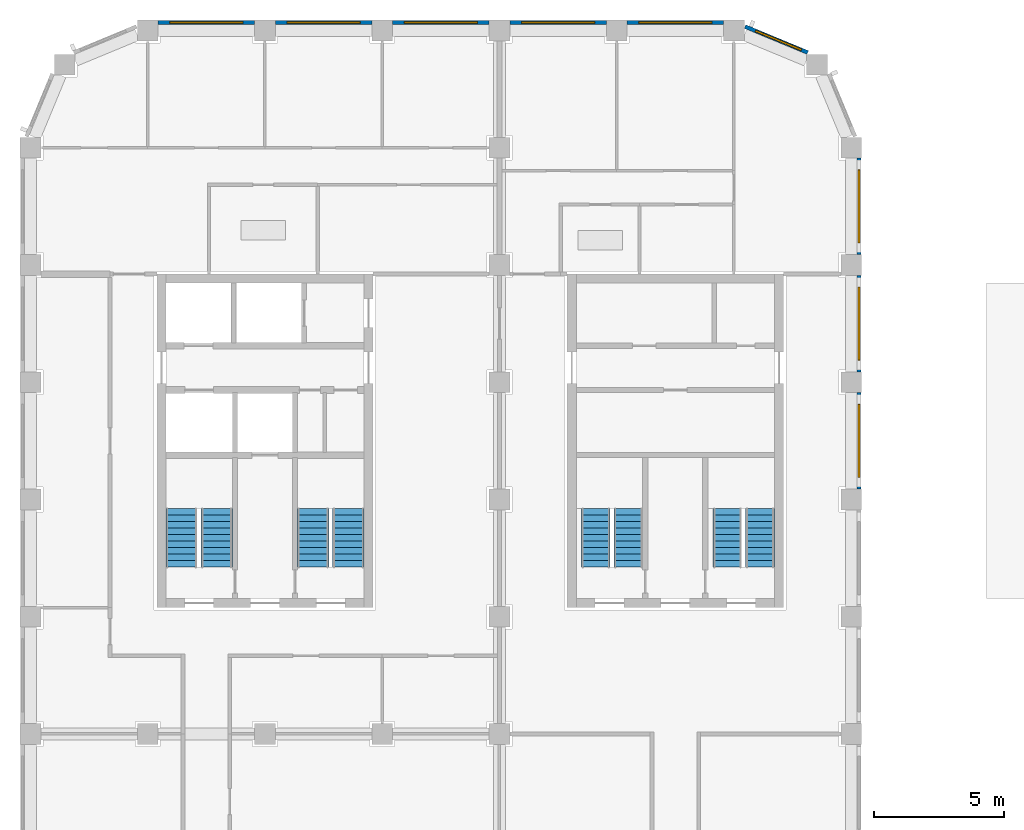
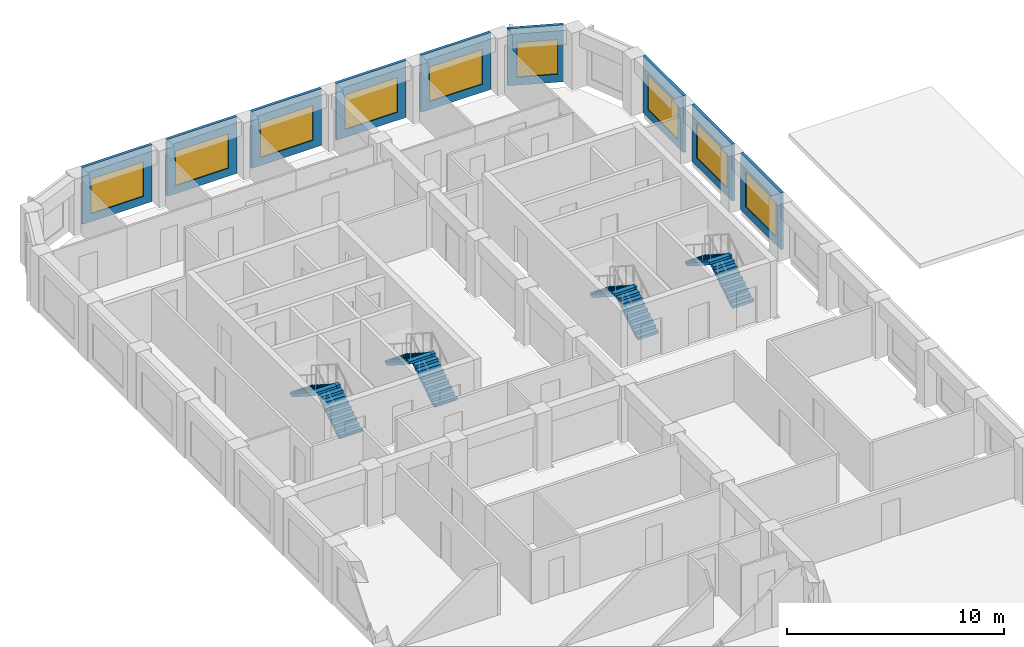
# One storey, part 7 of 9: 9 walls, 9 windows, 8 stair flights, 9 openings, 4 elements without a shape of their own.
"""IFC4 building model written with IfcOpenShell, lengths in metres."""

import ifcopenshell
import ifcopenshell.guid

model = None  # the IFC model being written
_history = None  # IfcOwnerHistory: only IFC2X3 demands one
_inside = {}  # id of a spatial element -> (the spatial element, [elements in it])
_under = {}  # id of a project, library or spatial element -> (it, [spatial elements below it])
_declared = {}  # id of a project -> (the project, [libraries it declares])
_typed = {}  # id of a type object -> (the type object, [elements of that type])
_made_of = {}  # id of a material, layer set ... -> (it, [elements and type objects made of it])


def new_model(schema):
    """Start an empty IFC model of exactly this schema.

    Asked for "IFC4X3", IfcOpenShell would pick the latest addendum, in which some entities
    have other attributes; the version numbers below select the first issue.
    IFC2X3 requires an IfcOwnerHistory on every rooted entity: one is made here for all.
    """
    global model, _history
    if schema == "IFC4X3":
        model = ifcopenshell.file(schema_version=(4, 3, 0, 0))
    else:
        model = ifcopenshell.file(schema=schema)
    _inside.clear()
    _under.clear()
    _declared.clear()
    _typed.clear()
    _made_of.clear()
    _history = None
    if model.schema == "IFC2X3":
        org = make("IfcOrganization", Name="unknown")
        user = make(
            "IfcPersonAndOrganization",
            ThePerson=make("IfcPerson", FamilyName="unknown"),
            TheOrganization=org,
        )
        app = make(
            "IfcApplication",
            ApplicationDeveloper=org,
            Version="unknown",
            ApplicationFullName="unknown",
            ApplicationIdentifier="unknown",
        )
        _history = make(
            "IfcOwnerHistory",
            OwningUser=user,
            OwningApplication=app,
            ChangeAction="ADDED",
            CreationDate=0,
        )
    return model


def make(cls, **values):
    """One entity of the class cls with the attributes given. An attribute that is None is left unset."""
    return model.create_entity(
        cls, **{name: value for name, value in values.items() if value is not None}
    )


def rooted(cls, **values):
    """An entity with a GlobalId (a new one), such as an element, a storey or a relation."""
    return make(cls, GlobalId=ifcopenshell.guid.new(), OwnerHistory=_history, **values)


def si_unit(unit_type, name, prefix=None):
    """IfcSIUnit, for example si_unit("LENGTHUNIT", "METRE", prefix="MILLI")."""
    return make("IfcSIUnit", UnitType=unit_type, Prefix=prefix, Name=name)


def assignment(units):
    """IfcUnitAssignment: the units of a project."""
    return None if units is None else make("IfcUnitAssignment", Units=units)


def point(xyz):
    """IfcCartesianPoint."""
    return None if xyz is None else make("IfcCartesianPoint", Coordinates=xyz)


def direction(xyz):
    """IfcDirection."""
    return None if xyz is None else make("IfcDirection", DirectionRatios=xyz)


def frame(location, z_axis=None, x_axis=None):
    """IfcAxis2Placement3D, a coordinate frame: its origin and axes. An axis left out is left unset."""
    return make(
        "IfcAxis2Placement3D",
        Location=point(location),
        Axis=direction(z_axis),
        RefDirection=direction(x_axis),
    )


def frame_2d(location, x_axis=None):
    """IfcAxis2Placement2D, a coordinate frame in the plane: its origin and x axis."""
    return make(
        "IfcAxis2Placement2D", Location=point(location), RefDirection=direction(x_axis)
    )


def origin():
    """The frame at (0, 0, 0) with its axes left unset."""
    return frame((0.0, 0.0, 0.0))


def place(relative_to, where):
    """IfcLocalPlacement: puts the frame where relative to a parent placement (None: the world)."""
    return make(
        "IfcLocalPlacement", PlacementRelTo=relative_to, RelativePlacement=where
    )


def context(
    kind, dimensions, precision=None, world=None, true_north=None, identifier=None
):
    """IfcGeometricRepresentationContext, for example the 3D "Model" context."""
    return make(
        "IfcGeometricRepresentationContext",
        ContextIdentifier=identifier,
        ContextType=kind,
        CoordinateSpaceDimension=dimensions,
        Precision=precision,
        WorldCoordinateSystem=world,
        TrueNorth=true_north,
    )


def subcontext(parent, identifier, kind, view, scale=None):
    """IfcGeometricRepresentationSubContext, for example "Body" below "Model"."""
    return make(
        "IfcGeometricRepresentationSubContext",
        ContextIdentifier=identifier,
        ContextType=kind,
        ParentContext=parent,
        TargetScale=scale,
        TargetView=view,
    )


def project(units=None, contexts=None):
    """IfcProject with its units and contexts."""
    return rooted(
        "IfcProject",
        Name="project",
        RepresentationContexts=contexts,
        UnitsInContext=assignment(units),
    )


def spatial(cls, under=None, at=None, **own):
    """A site, building, storey or space (cls), placed at a placement, below another one or the project."""
    s = rooted(cls, ObjectPlacement=at, **own)
    if under is not None:
        _under.setdefault(under.id(), (under, []))[1].append(s)
    return s


def polyline(points):
    """IfcPolyline through the points."""
    return make("IfcPolyline", Points=[point(p) for p in points])


def profile(cls, at=None, kind="AREA", **sizes):
    """A parametric profile (cls). Its sizes go by their IFC names, for example OverallWidth=200.0."""
    return make(cls, ProfileType=kind, Position=at, **sizes)


def rectangle(**sizes):
    """IfcRectangleProfileDef."""
    return profile("IfcRectangleProfileDef", **sizes)


def outline(outer, holes=None, kind="AREA"):
    """IfcArbitraryClosedProfileDef: a profile drawn as a closed curve; with holes, ...WithVoids."""
    if holes is None:
        return make("IfcArbitraryClosedProfileDef", ProfileType=kind, OuterCurve=outer)
    return make(
        "IfcArbitraryProfileDefWithVoids",
        ProfileType=kind,
        OuterCurve=outer,
        InnerCurves=holes,
    )


def extrude(swept, where, along, depth):
    """IfcExtrudedAreaSolid: the profile swept, set in the frame where, extruded along a direction by depth."""
    return make(
        "IfcExtrudedAreaSolid",
        SweptArea=swept,
        Position=where,
        ExtrudedDirection=direction(along),
        Depth=depth,
    )


def shape(context_of_items, identifier, shape_type, items):
    """IfcShapeRepresentation: the items that make up one representation, for example the "Body"."""
    return make(
        "IfcShapeRepresentation",
        ContextOfItems=context_of_items,
        RepresentationIdentifier=identifier,
        RepresentationType=shape_type,
        Items=items,
    )


def material(Name=None, Category=None):
    """IfcMaterial."""
    return make("IfcMaterial", Name=Name, Category=Category)


def layer(
    of_material, thickness, ventilated=None, Name=None, Category=None, Priority=None
):
    """IfcMaterialLayer: one layer of a wall or slab, of a material (None: an air gap)."""
    return make(
        "IfcMaterialLayer",
        Material=of_material,
        LayerThickness=thickness,
        IsVentilated=ventilated,
        Name=Name,
        Category=Category,
        Priority=Priority,
    )


def layer_set(layers, Name=None):
    """IfcMaterialLayerSet."""
    return make("IfcMaterialLayerSet", MaterialLayers=layers, LayerSetName=Name)


def made_of(thing, what):
    """Note that an element or type object is made of a material, layer set ...; save() writes the relation."""
    if what is not None:
        _made_of.setdefault(what.id(), (what, []))[1].append(thing)
    return thing


def type_object(cls, material=None, **own):
    """A type object (cls), such as IfcWallType, which elements share."""
    return made_of(rooted(cls, **own), material)


def element(
    cls,
    number,
    at=None,
    inside=None,
    cuts=None,
    type_object=None,
    material=None,
    context=None,
    identifier="Body",
    shape_type=None,
    held_by="IfcProductDefinitionShape",
    body=None,
    shapes=None,
    **own,
):
    """One element of the class cls, such as IfcWall. Its Tag is "e" and its number.

    at: its placement. inside: the storey or other place that contains it. cuts: it is an
    opening in that element (IfcRelVoidsElement). A single representation is given by context,
    identifier, shape_type and body (its items); several are given by shapes. held_by: the class
    of the entity that holds the representations. save() writes the other relations.
    """
    e = rooted(cls, Tag="e%d" % number, ObjectPlacement=at, **own)
    if body is not None:
        shapes = [shape(context, identifier, shape_type, body)]
    if shapes is not None:
        e.Representation = make(held_by, Representations=shapes)
    if inside is not None:
        _inside.setdefault(inside.id(), (inside, []))[1].append(e)
    if cuts is not None:
        rooted(
            "IfcRelVoidsElement", RelatingBuildingElement=cuts, RelatedOpeningElement=e
        )
    if type_object is not None:
        _typed.setdefault(type_object.id(), (type_object, []))[1].append(e)
    return made_of(e, material)


def fill(opening, filler):
    """IfcRelFillsElement: the door or window that sits in an opening."""
    return rooted(
        "IfcRelFillsElement",
        RelatingOpeningElement=opening,
        RelatedBuildingElement=filler,
    )


def aggregate(whole, parts):
    """IfcRelAggregates: a whole, such as a stair, and the parts it consists of."""
    return rooted("IfcRelAggregates", RelatingObject=whole, RelatedObjects=parts)


def save(model, path):
    """Write the relations noted so far, then the file.

    IfcRelAggregates (storeys below a building ...), IfcRelContainedInSpatialStructure (elements
    in a storey), IfcRelDefinesByType, IfcRelAssociatesMaterial and IfcRelDeclares: one each for
    every whole, place, type object, material and project.
    """
    for whole, parts in _under.values():
        aggregate(whole, parts)
    for where, things in _inside.values():
        rooted(
            "IfcRelContainedInSpatialStructure",
            RelatedElements=things,
            RelatingStructure=where,
        )
    for kind, things in _typed.values():
        rooted("IfcRelDefinesByType", RelatedObjects=things, RelatingType=kind)
    for what, things in _made_of.values():
        rooted("IfcRelAssociatesMaterial", RelatedObjects=things, RelatingMaterial=what)
    for by, libraries in _declared.values():
        rooted("IfcRelDeclares", RelatingContext=by, RelatedDefinitions=libraries)
    model.write(path)


model = new_model("IFC4")

# Units and contexts
model_context = context("Model", 3, precision=1e-05, world=origin(), true_north=direction((0.0, 1.0)))
body_context = subcontext(model_context, "Body", "Model", "MODEL_VIEW")
ifc_project = project(units=[si_unit("LENGTHUNIT", "METRE"), si_unit("AREAUNIT", "SQUARE_METRE"), si_unit("VOLUMEUNIT", "CUBIC_METRE"), si_unit("PLANEANGLEUNIT", "RADIAN"), si_unit("MASSUNIT", "GRAM", prefix="KILO")], contexts=[model_context])

# Site, building, storey
site_placement = place(None, origin())
site = spatial("IfcSite", under=ifc_project, at=site_placement, CompositionType="ELEMENT")
building_placement = place(site_placement, origin())
building = spatial("IfcBuilding", under=site, at=building_placement, Name="Girih Gate Residences", CompositionType="ELEMENT")
storey_placement = place(building_placement, frame((0.0, 0.0, 179.5)))
storey = spatial("IfcBuildingStorey", under=building, at=storey_placement, Name="L49", CompositionType="ELEMENT", Elevation=179.5)

# Wall, opening, window
ifc_material_1 = material(Name="Precast concrete C50/60", Category="concrete")
ifc_layer_1 = layer(ifc_material_1, 0.050048828125, Name="Outer leaf")
ifc_material_2 = material(Name="Rigid PIR insulation")
ifc_layer_2 = layer(ifc_material_2, 0.06005859375, Name="Insulation")
ifc_material_3 = material(Name="Precast concrete C40/50", Category="concrete")
ifc_layer_3 = layer(ifc_material_3, 0.0400390625, Name="Inner leaf")
ifc_layer_set = layer_set([ifc_layer_1, ifc_layer_2, ifc_layer_3], Name="Precast concrete C50/60 external wall 150")
wall_type = type_object("IfcWallType", Name="Precast concrete C50/60 external wall 150", PredefinedType="SOLIDWALL", material=ifc_layer_set)
wall_1_placement = place(storey_placement, frame((31.800048828125, 35.60009765625, 0.0), z_axis=(0.0, 0.0, 1.0), x_axis=(0.0, -1.0, 0.0)))
wall_1 = element("IfcWall", 1, at=wall_1_placement, inside=storey, type_object=wall_type, Name="External wall E0315_0045.6", PredefinedType="SOLIDWALL", context=body_context, shape_type="SweptSolid", body=[
    extrude(rectangle(XDim=3.7001953125, YDim=0.14990234375, at=frame_2d((1.85009765625, 0.0))), origin(), (0.0, 0.0, 1.0), 3.199951171875),
])
opening_1_placement = place(wall_1_placement, frame((0.449951171875, 0.0, 0.449951171875)))
opening_1 = element("IfcOpeningElement", 2, at=opening_1_placement, cuts=wall_1, Name="Opening W-1B", PredefinedType="OPENING", context=body_context, shape_type="SweptSolid", body=[
    extrude(rectangle(XDim=2.800048828125, YDim=1.949951171875, at=frame_2d((1.39990234375, 0.97509765625))), frame((0.0, 0.0849609375, 0.0), z_axis=(0.0, -1.0, 0.0), x_axis=(1.0, 0.0, 0.0)), (0.0, 0.0, 1.0), 0.169921875),
])
ifc_material_4 = material(Name="Double glazing in aluminium frame", Category="aluminium")
window_type_1 = type_object("IfcWindowType", Name="Window W-1B 2800x1950", PartitioningType="SINGLE_PANEL", PredefinedType="WINDOW", material=ifc_material_4)
window_1_placement = place(opening_1_placement, origin())
window_1 = element("IfcWindow", 3, at=window_1_placement, inside=storey, type_object=window_type_1, Name="Window W-1B E0315_0045.6", OverallHeight=1.949951171875, OverallWidth=2.800048828125, PartitioningType="SINGLE_PANEL", PredefinedType="WINDOW", context=body_context, shape_type="SweptSolid", body=[
    extrude(rectangle(XDim=2.800048828125, YDim=1.949951171875, at=frame_2d((1.39990234375, 0.97509765625))), frame((0.0, 0.030029296875, 0.0), z_axis=(0.0, -1.0, 0.0), x_axis=(1.0, 0.0, 0.0)), (0.0, 0.0, 1.0), 0.06005859375),
])
fill(opening_1, window_1)

wall_2_placement = place(storey_placement, frame((31.800048828125, 40.10009765625, 0.0), z_axis=(0.0, 0.0, 1.0), x_axis=(0.0, -1.0, 0.0)))
wall_2 = element("IfcWall", 4, at=wall_2_placement, inside=storey, type_object=wall_type, Name="External wall E0315_0045.7", PredefinedType="SOLIDWALL", context=body_context, shape_type="SweptSolid", body=[
    extrude(rectangle(XDim=3.7001953125, YDim=0.14990234375, at=frame_2d((1.85009765625, 0.0))), origin(), (0.0, 0.0, 1.0), 3.199951171875),
])
opening_2_placement = place(wall_2_placement, frame((0.449951171875, 0.0, 0.449951171875)))
opening_2 = element("IfcOpeningElement", 5, at=opening_2_placement, cuts=wall_2, Name="Opening W-1B", PredefinedType="OPENING", context=body_context, shape_type="SweptSolid", body=[
    extrude(rectangle(XDim=2.800048828125, YDim=1.949951171875, at=frame_2d((1.39990234375, 0.97509765625))), frame((0.0, 0.0849609375, 0.0), z_axis=(0.0, -1.0, 0.0), x_axis=(1.0, 0.0, 0.0)), (0.0, 0.0, 1.0), 0.169921875),
])
window_2_placement = place(opening_2_placement, origin())
window_2 = element("IfcWindow", 6, at=window_2_placement, inside=storey, type_object=window_type_1, Name="Window W-1B E0315_0045.7", OverallHeight=1.949951171875, OverallWidth=2.800048828125, PartitioningType="SINGLE_PANEL", PredefinedType="WINDOW", context=body_context, shape_type="SweptSolid", body=[
    extrude(rectangle(XDim=2.800048828125, YDim=1.949951171875, at=frame_2d((1.39990234375, 0.97509765625))), frame((0.0, 0.030029296875, 0.0), z_axis=(0.0, -1.0, 0.0), x_axis=(1.0, 0.0, 0.0)), (0.0, 0.0, 1.0), 0.06005859375),
])
fill(opening_2, window_2)

wall_3_placement = place(storey_placement, frame((31.800048828125, 44.60009765625, 0.0), z_axis=(0.0, 0.0, 1.0), x_axis=(0.0, -1.0, 0.0)))
wall_3 = element("IfcWall", 7, at=wall_3_placement, inside=storey, type_object=wall_type, Name="External wall E0315_0045.8", PredefinedType="SOLIDWALL", context=body_context, shape_type="SweptSolid", body=[
    extrude(rectangle(XDim=3.7001953125, YDim=0.14990234375, at=frame_2d((1.85009765625, 0.0))), origin(), (0.0, 0.0, 1.0), 3.199951171875),
])
opening_3_placement = place(wall_3_placement, frame((0.449951171875, 0.0, 0.449951171875)))
opening_3 = element("IfcOpeningElement", 8, at=opening_3_placement, cuts=wall_3, Name="Opening W-1B", PredefinedType="OPENING", context=body_context, shape_type="SweptSolid", body=[
    extrude(rectangle(XDim=2.800048828125, YDim=1.949951171875, at=frame_2d((1.39990234375, 0.97509765625))), frame((0.0, 0.0849609375, 0.0), z_axis=(0.0, -1.0, 0.0), x_axis=(1.0, 0.0, 0.0)), (0.0, 0.0, 1.0), 0.169921875),
])
window_3_placement = place(opening_3_placement, origin())
window_3 = element("IfcWindow", 9, at=window_3_placement, inside=storey, type_object=window_type_1, Name="Window W-1B E0315_0045.8", OverallHeight=1.949951171875, OverallWidth=2.800048828125, PartitioningType="SINGLE_PANEL", PredefinedType="WINDOW", context=body_context, shape_type="SweptSolid", body=[
    extrude(rectangle(XDim=2.800048828125, YDim=1.949951171875, at=frame_2d((1.39990234375, 0.97509765625))), frame((0.0, 0.030029296875, 0.0), z_axis=(0.0, -1.0, 0.0), x_axis=(1.0, 0.0, 0.0)), (0.0, 0.0, 1.0), 0.06005859375),
])
fill(opening_3, window_3)

wall_4_placement = place(storey_placement, frame((27.4287109375, 49.647216796875, 0.0), z_axis=(0.0, 0.0, 1.0), x_axis=(0.923885342263, -0.382669406082, 0.0)))
wall_4 = element("IfcWall", 10, at=wall_4_placement, inside=storey, type_object=wall_type, Name="External wall NE0302_0482.0", PredefinedType="SOLIDWALL", context=body_context, shape_type="SweptSolid", body=[
    extrude(rectangle(XDim=2.602294921875, YDim=0.14990234375, at=frame_2d((1.30126953125, 0.0))), origin(), (0.0, 0.0, 1.0), 3.199951171875),
])
opening_4_placement = place(wall_4_placement, frame((0.432373046875, 0.0, 0.449951171875)))
opening_4 = element("IfcOpeningElement", 11, at=opening_4_placement, cuts=wall_4, Name="Opening W-2G", PredefinedType="OPENING", context=body_context, shape_type="SweptSolid", body=[
    extrude(rectangle(XDim=1.89990234375, YDim=1.949951171875, at=frame_2d((0.949951171875, 0.97509765625))), frame((0.0, 0.0849609375, 0.0), z_axis=(0.0, -1.0, 0.0), x_axis=(1.0, 0.0, 0.0)), (0.0, 0.0, 1.0), 0.169921875),
])
window_type_2 = type_object("IfcWindowType", Name="Window W-2G 1900x1950", PartitioningType="SINGLE_PANEL", PredefinedType="WINDOW", material=ifc_material_4)
window_4_placement = place(opening_4_placement, origin())
window_4 = element("IfcWindow", 12, at=window_4_placement, inside=storey, type_object=window_type_2, Name="Window W-2G NE0302_0482.0", OverallHeight=1.949951171875, OverallWidth=1.89990234375, PartitioningType="SINGLE_PANEL", PredefinedType="WINDOW", context=body_context, shape_type="SweptSolid", body=[
    extrude(rectangle(XDim=1.89990234375, YDim=1.949951171875, at=frame_2d((0.949951171875, 0.97509765625))), frame((0.0, 0.030029296875, 0.0), z_axis=(0.0, -1.0, 0.0), x_axis=(1.0, 0.0, 0.0)), (0.0, 0.0, 1.0), 0.06005859375),
])
fill(opening_4, window_4)

wall_5_placement = place(storey_placement, frame((22.89990234375, 49.800048828125, 0.0), z_axis=(0.0, 0.0, 1.0), x_axis=(1.0, 0.0, 0.0)))
wall_5 = element("IfcWall", 13, at=wall_5_placement, inside=storey, type_object=wall_type, Name="External wall N0270_0495.0", PredefinedType="SOLIDWALL", context=body_context, shape_type="SweptSolid", body=[
    extrude(rectangle(XDim=3.7001953125, YDim=0.14990234375, at=frame_2d((1.85009765625, 0.0))), origin(), (0.0, 0.0, 1.0), 3.199951171875),
])
opening_5_placement = place(wall_5_placement, frame((0.449951171875, 0.0, 0.449951171875)))
opening_5 = element("IfcOpeningElement", 14, at=opening_5_placement, cuts=wall_5, Name="Opening W-1B", PredefinedType="OPENING", context=body_context, shape_type="SweptSolid", body=[
    extrude(rectangle(XDim=2.800048828125, YDim=1.949951171875, at=frame_2d((1.39990234375, 0.97509765625))), frame((0.0, 0.0849609375, 0.0), z_axis=(0.0, -1.0, 0.0), x_axis=(1.0, 0.0, 0.0)), (0.0, 0.0, 1.0), 0.169921875),
])
window_5_placement = place(opening_5_placement, origin())
window_5 = element("IfcWindow", 15, at=window_5_placement, inside=storey, type_object=window_type_1, Name="Window W-1B N0270_0495.0", OverallHeight=1.949951171875, OverallWidth=2.800048828125, PartitioningType="SINGLE_PANEL", PredefinedType="WINDOW", context=body_context, shape_type="SweptSolid", body=[
    extrude(rectangle(XDim=2.800048828125, YDim=1.949951171875, at=frame_2d((1.39990234375, 0.97509765625))), frame((0.0, 0.030029296875, 0.0), z_axis=(0.0, -1.0, 0.0), x_axis=(1.0, 0.0, 0.0)), (0.0, 0.0, 1.0), 0.06005859375),
])
fill(opening_5, window_5)

wall_6_placement = place(storey_placement, frame((18.39990234375, 49.800048828125, 0.0), z_axis=(0.0, 0.0, 1.0), x_axis=(1.0, 0.0, 0.0)))
wall_6 = element("IfcWall", 16, at=wall_6_placement, inside=storey, type_object=wall_type, Name="External wall N0270_0495.1", PredefinedType="SOLIDWALL", context=body_context, shape_type="SweptSolid", body=[
    extrude(rectangle(XDim=3.7001953125, YDim=0.14990234375, at=frame_2d((1.85009765625, 0.0))), origin(), (0.0, 0.0, 1.0), 3.199951171875),
])
opening_6_placement = place(wall_6_placement, frame((0.449951171875, 0.0, 0.449951171875)))
opening_6 = element("IfcOpeningElement", 17, at=opening_6_placement, cuts=wall_6, Name="Opening W-1B", PredefinedType="OPENING", context=body_context, shape_type="SweptSolid", body=[
    extrude(rectangle(XDim=2.800048828125, YDim=1.949951171875, at=frame_2d((1.39990234375, 0.97509765625))), frame((0.0, 0.0849609375, 0.0), z_axis=(0.0, -1.0, 0.0), x_axis=(1.0, 0.0, 0.0)), (0.0, 0.0, 1.0), 0.169921875),
])
window_6_placement = place(opening_6_placement, origin())
window_6 = element("IfcWindow", 18, at=window_6_placement, inside=storey, type_object=window_type_1, Name="Window W-1B N0270_0495.1", OverallHeight=1.949951171875, OverallWidth=2.800048828125, PartitioningType="SINGLE_PANEL", PredefinedType="WINDOW", context=body_context, shape_type="SweptSolid", body=[
    extrude(rectangle(XDim=2.800048828125, YDim=1.949951171875, at=frame_2d((1.39990234375, 0.97509765625))), frame((0.0, 0.030029296875, 0.0), z_axis=(0.0, -1.0, 0.0), x_axis=(1.0, 0.0, 0.0)), (0.0, 0.0, 1.0), 0.06005859375),
])
fill(opening_6, window_6)

wall_7_placement = place(storey_placement, frame((13.89990234375, 49.800048828125, 0.0), z_axis=(0.0, 0.0, 1.0), x_axis=(1.0, 0.0, 0.0)))
wall_7 = element("IfcWall", 19, at=wall_7_placement, inside=storey, type_object=wall_type, Name="External wall N0270_0495.2", PredefinedType="SOLIDWALL", context=body_context, shape_type="SweptSolid", body=[
    extrude(rectangle(XDim=3.7001953125, YDim=0.14990234375, at=frame_2d((1.85009765625, 0.0))), origin(), (0.0, 0.0, 1.0), 3.199951171875),
])
opening_7_placement = place(wall_7_placement, frame((0.449951171875, 0.0, 0.449951171875)))
opening_7 = element("IfcOpeningElement", 20, at=opening_7_placement, cuts=wall_7, Name="Opening W-1B", PredefinedType="OPENING", context=body_context, shape_type="SweptSolid", body=[
    extrude(rectangle(XDim=2.800048828125, YDim=1.949951171875, at=frame_2d((1.39990234375, 0.97509765625))), frame((0.0, 0.0849609375, 0.0), z_axis=(0.0, -1.0, 0.0), x_axis=(1.0, 0.0, 0.0)), (0.0, 0.0, 1.0), 0.169921875),
])
window_7_placement = place(opening_7_placement, origin())
window_7 = element("IfcWindow", 21, at=window_7_placement, inside=storey, type_object=window_type_1, Name="Window W-1B N0270_0495.2", OverallHeight=1.949951171875, OverallWidth=2.800048828125, PartitioningType="SINGLE_PANEL", PredefinedType="WINDOW", context=body_context, shape_type="SweptSolid", body=[
    extrude(rectangle(XDim=2.800048828125, YDim=1.949951171875, at=frame_2d((1.39990234375, 0.97509765625))), frame((0.0, 0.030029296875, 0.0), z_axis=(0.0, -1.0, 0.0), x_axis=(1.0, 0.0, 0.0)), (0.0, 0.0, 1.0), 0.06005859375),
])
fill(opening_7, window_7)

wall_8_placement = place(storey_placement, frame((9.39990234375, 49.800048828125, 0.0), z_axis=(0.0, 0.0, 1.0), x_axis=(1.0, 0.0, 0.0)))
wall_8 = element("IfcWall", 22, at=wall_8_placement, inside=storey, type_object=wall_type, Name="External wall N0270_0495.3", PredefinedType="SOLIDWALL", context=body_context, shape_type="SweptSolid", body=[
    extrude(rectangle(XDim=3.7001953125, YDim=0.14990234375, at=frame_2d((1.85009765625, 0.0))), origin(), (0.0, 0.0, 1.0), 3.199951171875),
])
opening_8_placement = place(wall_8_placement, frame((0.449951171875, 0.0, 0.449951171875)))
opening_8 = element("IfcOpeningElement", 23, at=opening_8_placement, cuts=wall_8, Name="Opening W-1B", PredefinedType="OPENING", context=body_context, shape_type="SweptSolid", body=[
    extrude(rectangle(XDim=2.800048828125, YDim=1.949951171875, at=frame_2d((1.39990234375, 0.97509765625))), frame((0.0, 0.0849609375, 0.0), z_axis=(0.0, -1.0, 0.0), x_axis=(1.0, 0.0, 0.0)), (0.0, 0.0, 1.0), 0.169921875),
])
window_8_placement = place(opening_8_placement, origin())
window_8 = element("IfcWindow", 24, at=window_8_placement, inside=storey, type_object=window_type_1, Name="Window W-1B N0270_0495.3", OverallHeight=1.949951171875, OverallWidth=2.800048828125, PartitioningType="SINGLE_PANEL", PredefinedType="WINDOW", context=body_context, shape_type="SweptSolid", body=[
    extrude(rectangle(XDim=2.800048828125, YDim=1.949951171875, at=frame_2d((1.39990234375, 0.97509765625))), frame((0.0, 0.030029296875, 0.0), z_axis=(0.0, -1.0, 0.0), x_axis=(1.0, 0.0, 0.0)), (0.0, 0.0, 1.0), 0.06005859375),
])
fill(opening_8, window_8)

wall_9_placement = place(storey_placement, frame((4.89990234375, 49.800048828125, 0.0), z_axis=(0.0, 0.0, 1.0), x_axis=(1.0, 0.0, 0.0)))
wall_9 = element("IfcWall", 25, at=wall_9_placement, inside=storey, type_object=wall_type, Name="External wall N0270_0495.4", PredefinedType="SOLIDWALL", context=body_context, shape_type="SweptSolid", body=[
    extrude(rectangle(XDim=3.7001953125, YDim=0.14990234375, at=frame_2d((1.85009765625, 0.0))), origin(), (0.0, 0.0, 1.0), 3.199951171875),
])
opening_9_placement = place(wall_9_placement, frame((0.449951171875, 0.0, 0.449951171875)))
opening_9 = element("IfcOpeningElement", 26, at=opening_9_placement, cuts=wall_9, Name="Opening W-1B", PredefinedType="OPENING", context=body_context, shape_type="SweptSolid", body=[
    extrude(rectangle(XDim=2.800048828125, YDim=1.949951171875, at=frame_2d((1.39990234375, 0.97509765625))), frame((0.0, 0.0849609375, 0.0), z_axis=(0.0, -1.0, 0.0), x_axis=(1.0, 0.0, 0.0)), (0.0, 0.0, 1.0), 0.169921875),
])
window_9_placement = place(opening_9_placement, origin())
window_9 = element("IfcWindow", 27, at=window_9_placement, inside=storey, type_object=window_type_1, Name="Window W-1B N0270_0495.4", OverallHeight=1.949951171875, OverallWidth=2.800048828125, PartitioningType="SINGLE_PANEL", PredefinedType="WINDOW", context=body_context, shape_type="SweptSolid", body=[
    extrude(rectangle(XDim=2.800048828125, YDim=1.949951171875, at=frame_2d((1.39990234375, 0.97509765625))), frame((0.0, 0.030029296875, 0.0), z_axis=(0.0, -1.0, 0.0), x_axis=(1.0, 0.0, 0.0)), (0.0, 0.0, 1.0), 0.06005859375),
])
fill(opening_9, window_9)

# Stair, stair flights
ifc_material_5 = material(Name="Concrete C40/50", Category="concrete")
stair_type_1 = type_object("IfcStairType", Name="Exit stair C core", PredefinedType="HALF_TURN_STAIR", material=ifc_material_5)
stair_1_placement = place(storey_placement, origin())
stair_1 = element("IfcStair", 28, at=stair_1_placement, inside=storey, type_object=stair_type_1, Name="L49 Exit Stair ST-C1", PredefinedType="HALF_TURN_STAIR")
stair_flight_type_1 = type_object("IfcStairFlightType", Name="Stair flight 1100", PredefinedType="STRAIGHT", material=ifc_material_5)
stair_flight_1_placement = place(storey_placement, frame((22.949951171875, 28.89990234375, 0.0), z_axis=(0.0, 0.0, 1.0), x_axis=(0.0, 1.0, 0.0)))
stair_flight_1 = element("IfcStairFlight", 29, at=stair_flight_1_placement, type_object=stair_flight_type_1, Name="ST-C1 flight 1", NumberOfRisers=10, NumberOfTreads=9, PredefinedType="STRAIGHT", RiserHeight=0.16, TreadLength=0.25, context=body_context, shape_type="SweptSolid", body=[
    extrude(outline(polyline([(0.0, 0.0), (0.0, 0.159912109375), (0.25, 0.159912109375), (0.25, 0.320068359375), (0.5, 0.320068359375), (0.5, 0.47998046875), (0.75, 0.47998046875), (0.75, 0.639892578125), (1.0, 0.639892578125), (1.0, 0.800048828125), (1.25, 0.800048828125), (1.25, 0.9599609375), (1.5, 0.9599609375), (1.5, 1.1201171875), (1.75, 1.1201171875), (1.75, 1.280029296875), (2.0, 1.280029296875), (2.0, 1.43994140625), (2.25, 1.43994140625), (2.25, 1.60009765625), (2.25, 1.29736328125), (0.222900390625, 0.0), (0.0, 0.0)])), frame((0.0, 0.550048828125, 0.0), z_axis=(0.0, -1.0, 0.0), x_axis=(1.0, 0.0, 0.0)), (0.0, 0.0, 1.0), 1.10009765625),
])
stair_flight_2_placement = place(storey_placement, frame((21.699951171875, 31.14990234375, 1.60009765625), z_axis=(0.0, 0.0, 1.0), x_axis=(0.0, -1.0, 0.0)))
stair_flight_2 = element("IfcStairFlight", 30, at=stair_flight_2_placement, type_object=stair_flight_type_1, Name="ST-C1 flight 2", NumberOfRisers=10, NumberOfTreads=9, PredefinedType="STRAIGHT", RiserHeight=0.16, TreadLength=0.25, context=body_context, shape_type="SweptSolid", body=[
    extrude(outline(polyline([(0.0, 0.0), (0.0, 0.159912109375), (0.25, 0.159912109375), (0.25, 0.320068359375), (0.5, 0.320068359375), (0.5, 0.47998046875), (0.75, 0.47998046875), (0.75, 0.639892578125), (1.0, 0.639892578125), (1.0, 0.800048828125), (1.25, 0.800048828125), (1.25, 0.9599609375), (1.5, 0.9599609375), (1.5, 1.1201171875), (1.75, 1.1201171875), (1.75, 1.280029296875), (2.0, 1.280029296875), (2.0, 1.43994140625), (2.25, 1.43994140625), (2.25, 1.60009765625), (2.25, 1.29736328125), (0.222900390625, 0.0), (0.0, 0.0)])), frame((0.0, 0.550048828125, 0.0), z_axis=(0.0, -1.0, 0.0), x_axis=(1.0, 0.0, 0.0)), (0.0, 0.0, 1.0), 1.10009765625),
])
aggregate(stair_1, [stair_flight_1, stair_flight_2])

stair_2_placement = place(storey_placement, origin())
stair_2 = element("IfcStair", 31, at=stair_2_placement, inside=storey, type_object=stair_type_1, Name="L49 Exit Stair ST-C2", PredefinedType="HALF_TURN_STAIR")
stair_flight_3_placement = place(storey_placement, frame((28.0, 28.89990234375, 0.0), z_axis=(0.0, 0.0, 1.0), x_axis=(0.0, 1.0, 0.0)))
stair_flight_3 = element("IfcStairFlight", 32, at=stair_flight_3_placement, type_object=stair_flight_type_1, Name="ST-C2 flight 1", NumberOfRisers=10, NumberOfTreads=9, PredefinedType="STRAIGHT", RiserHeight=0.16, TreadLength=0.25, context=body_context, shape_type="SweptSolid", body=[
    extrude(outline(polyline([(0.0, 0.0), (0.0, 0.159912109375), (0.25, 0.159912109375), (0.25, 0.320068359375), (0.5, 0.320068359375), (0.5, 0.47998046875), (0.75, 0.47998046875), (0.75, 0.639892578125), (1.0, 0.639892578125), (1.0, 0.800048828125), (1.25, 0.800048828125), (1.25, 0.9599609375), (1.5, 0.9599609375), (1.5, 1.1201171875), (1.75, 1.1201171875), (1.75, 1.280029296875), (2.0, 1.280029296875), (2.0, 1.43994140625), (2.25, 1.43994140625), (2.25, 1.60009765625), (2.25, 1.29736328125), (0.222900390625, 0.0), (0.0, 0.0)])), frame((0.0, 0.550048828125, 0.0), z_axis=(0.0, -1.0, 0.0), x_axis=(1.0, 0.0, 0.0)), (0.0, 0.0, 1.0), 1.10009765625),
])
stair_flight_4_placement = place(storey_placement, frame((26.75, 31.14990234375, 1.60009765625), z_axis=(0.0, 0.0, 1.0), x_axis=(0.0, -1.0, 0.0)))
stair_flight_4 = element("IfcStairFlight", 33, at=stair_flight_4_placement, type_object=stair_flight_type_1, Name="ST-C2 flight 2", NumberOfRisers=10, NumberOfTreads=9, PredefinedType="STRAIGHT", RiserHeight=0.16, TreadLength=0.25, context=body_context, shape_type="SweptSolid", body=[
    extrude(outline(polyline([(0.0, 0.0), (0.0, 0.159912109375), (0.25, 0.159912109375), (0.25, 0.320068359375), (0.5, 0.320068359375), (0.5, 0.47998046875), (0.75, 0.47998046875), (0.75, 0.639892578125), (1.0, 0.639892578125), (1.0, 0.800048828125), (1.25, 0.800048828125), (1.25, 0.9599609375), (1.5, 0.9599609375), (1.5, 1.1201171875), (1.75, 1.1201171875), (1.75, 1.280029296875), (2.0, 1.280029296875), (2.0, 1.43994140625), (2.25, 1.43994140625), (2.25, 1.60009765625), (2.25, 1.29736328125), (0.222900390625, 0.0), (0.0, 0.0)])), frame((0.0, 0.550048828125, 0.0), z_axis=(0.0, -1.0, 0.0), x_axis=(1.0, 0.0, 0.0)), (0.0, 0.0, 1.0), 1.10009765625),
])
aggregate(stair_2, [stair_flight_3, stair_flight_4])

stair_type_2 = type_object("IfcStairType", Name="Exit stair", PredefinedType="HALF_TURN_STAIR", material=ifc_material_5)
stair_3_placement = place(storey_placement, origin())
stair_3 = element("IfcStair", 34, at=stair_3_placement, inside=storey, type_object=stair_type_2, Name="L49 Exit Stair ST-W1", PredefinedType="HALF_TURN_STAIR")
stair_flight_type_2 = type_object("IfcStairFlightType", Name="Stair flight 1200", PredefinedType="STRAIGHT", material=ifc_material_5)
stair_flight_5_placement = place(storey_placement, frame((7.14990234375, 28.89990234375, 0.0), z_axis=(0.0, 0.0, 1.0), x_axis=(0.0, 1.0, 0.0)))
stair_flight_5 = element("IfcStairFlight", 35, at=stair_flight_5_placement, type_object=stair_flight_type_2, Name="ST-W1 flight 1", NumberOfRisers=10, NumberOfTreads=9, PredefinedType="STRAIGHT", RiserHeight=0.16, TreadLength=0.25, context=body_context, shape_type="SweptSolid", body=[
    extrude(outline(polyline([(0.0, 0.0), (0.0, 0.159912109375), (0.25, 0.159912109375), (0.25, 0.320068359375), (0.5, 0.320068359375), (0.5, 0.47998046875), (0.75, 0.47998046875), (0.75, 0.639892578125), (1.0, 0.639892578125), (1.0, 0.800048828125), (1.25, 0.800048828125), (1.25, 0.9599609375), (1.5, 0.9599609375), (1.5, 1.1201171875), (1.75, 1.1201171875), (1.75, 1.280029296875), (2.0, 1.280029296875), (2.0, 1.43994140625), (2.25, 1.43994140625), (2.25, 1.60009765625), (2.25, 1.29736328125), (0.222900390625, 0.0), (0.0, 0.0)])), frame((0.0, 0.60009765625, 0.0), z_axis=(0.0, -1.0, 0.0), x_axis=(1.0, 0.0, 0.0)), (0.0, 0.0, 1.0), 1.199951171875),
])
stair_flight_6_placement = place(storey_placement, frame((5.800048828125, 31.14990234375, 1.60009765625), z_axis=(0.0, 0.0, 1.0), x_axis=(0.0, -1.0, 0.0)))
stair_flight_6 = element("IfcStairFlight", 36, at=stair_flight_6_placement, type_object=stair_flight_type_2, Name="ST-W1 flight 2", NumberOfRisers=10, NumberOfTreads=9, PredefinedType="STRAIGHT", RiserHeight=0.16, TreadLength=0.25, context=body_context, shape_type="SweptSolid", body=[
    extrude(outline(polyline([(0.0, 0.0), (0.0, 0.159912109375), (0.25, 0.159912109375), (0.25, 0.320068359375), (0.5, 0.320068359375), (0.5, 0.47998046875), (0.75, 0.47998046875), (0.75, 0.639892578125), (1.0, 0.639892578125), (1.0, 0.800048828125), (1.25, 0.800048828125), (1.25, 0.9599609375), (1.5, 0.9599609375), (1.5, 1.1201171875), (1.75, 1.1201171875), (1.75, 1.280029296875), (2.0, 1.280029296875), (2.0, 1.43994140625), (2.25, 1.43994140625), (2.25, 1.60009765625), (2.25, 1.29736328125), (0.222900390625, 0.0), (0.0, 0.0)])), frame((0.0, 0.60009765625, 0.0), z_axis=(0.0, -1.0, 0.0), x_axis=(1.0, 0.0, 0.0)), (0.0, 0.0, 1.0), 1.199951171875),
])
aggregate(stair_3, [stair_flight_5, stair_flight_6])

stair_4_placement = place(storey_placement, origin())
stair_4 = element("IfcStair", 37, at=stair_4_placement, inside=storey, type_object=stair_type_2, Name="L49 Exit Stair ST-W2", PredefinedType="HALF_TURN_STAIR")
stair_flight_7_placement = place(storey_placement, frame((12.199951171875, 28.89990234375, 0.0), z_axis=(0.0, 0.0, 1.0), x_axis=(0.0, 1.0, 0.0)))
stair_flight_7 = element("IfcStairFlight", 38, at=stair_flight_7_placement, type_object=stair_flight_type_2, Name="ST-W2 flight 1", NumberOfRisers=10, NumberOfTreads=9, PredefinedType="STRAIGHT", RiserHeight=0.16, TreadLength=0.25, context=body_context, shape_type="SweptSolid", body=[
    extrude(outline(polyline([(0.0, 0.0), (0.0, 0.159912109375), (0.25, 0.159912109375), (0.25, 0.320068359375), (0.5, 0.320068359375), (0.5, 0.47998046875), (0.75, 0.47998046875), (0.75, 0.639892578125), (1.0, 0.639892578125), (1.0, 0.800048828125), (1.25, 0.800048828125), (1.25, 0.9599609375), (1.5, 0.9599609375), (1.5, 1.1201171875), (1.75, 1.1201171875), (1.75, 1.280029296875), (2.0, 1.280029296875), (2.0, 1.43994140625), (2.25, 1.43994140625), (2.25, 1.60009765625), (2.25, 1.29736328125), (0.222900390625, 0.0), (0.0, 0.0)])), frame((0.0, 0.60009765625, 0.0), z_axis=(0.0, -1.0, 0.0), x_axis=(1.0, 0.0, 0.0)), (0.0, 0.0, 1.0), 1.199951171875),
])
stair_flight_8_placement = place(storey_placement, frame((10.85009765625, 31.14990234375, 1.60009765625), z_axis=(0.0, 0.0, 1.0), x_axis=(0.0, -1.0, 0.0)))
stair_flight_8 = element("IfcStairFlight", 39, at=stair_flight_8_placement, type_object=stair_flight_type_2, Name="ST-W2 flight 2", NumberOfRisers=10, NumberOfTreads=9, PredefinedType="STRAIGHT", RiserHeight=0.16, TreadLength=0.25, context=body_context, shape_type="SweptSolid", body=[
    extrude(outline(polyline([(0.0, 0.0), (0.0, 0.159912109375), (0.25, 0.159912109375), (0.25, 0.320068359375), (0.5, 0.320068359375), (0.5, 0.47998046875), (0.75, 0.47998046875), (0.75, 0.639892578125), (1.0, 0.639892578125), (1.0, 0.800048828125), (1.25, 0.800048828125), (1.25, 0.9599609375), (1.5, 0.9599609375), (1.5, 1.1201171875), (1.75, 1.1201171875), (1.75, 1.280029296875), (2.0, 1.280029296875), (2.0, 1.43994140625), (2.25, 1.43994140625), (2.25, 1.60009765625), (2.25, 1.29736328125), (0.222900390625, 0.0), (0.0, 0.0)])), frame((0.0, 0.60009765625, 0.0), z_axis=(0.0, -1.0, 0.0), x_axis=(1.0, 0.0, 0.0)), (0.0, 0.0, 1.0), 1.199951171875),
])
aggregate(stair_4, [stair_flight_7, stair_flight_8])

save(model, "model.ifc")
